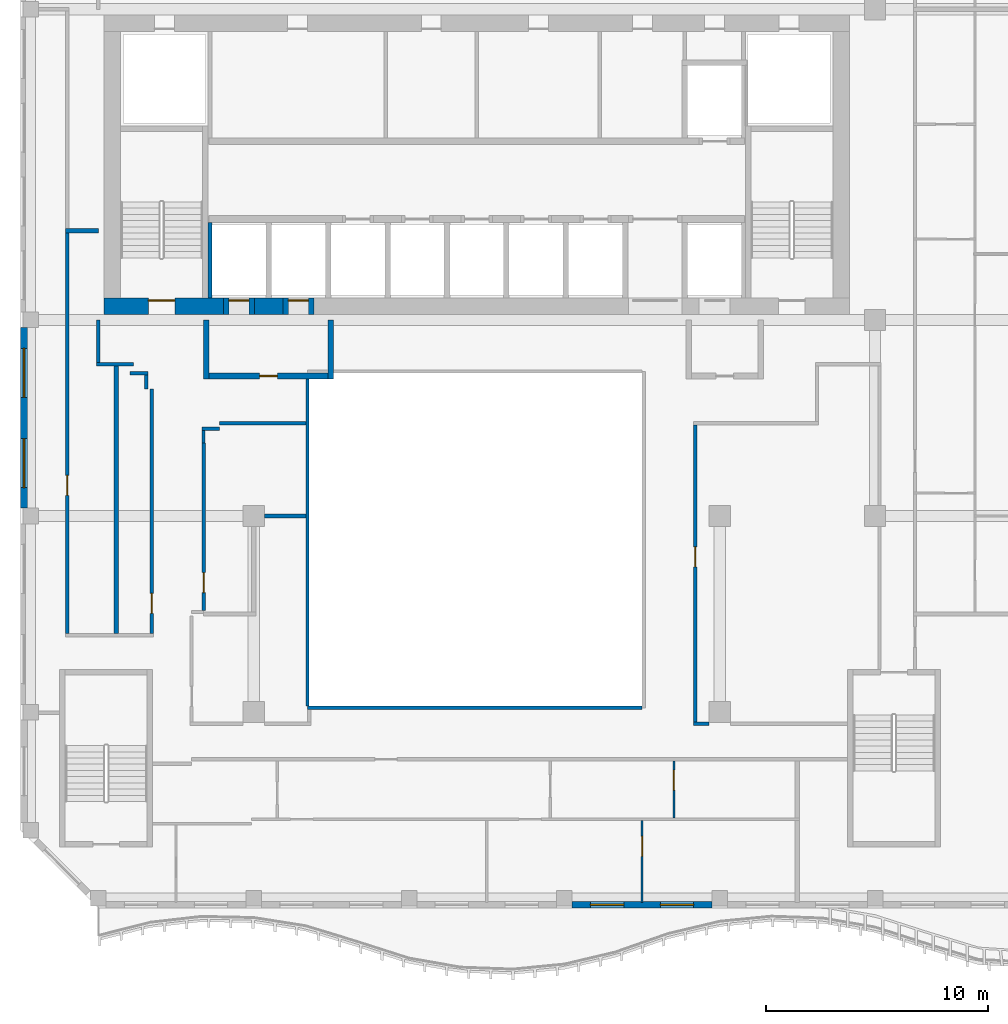
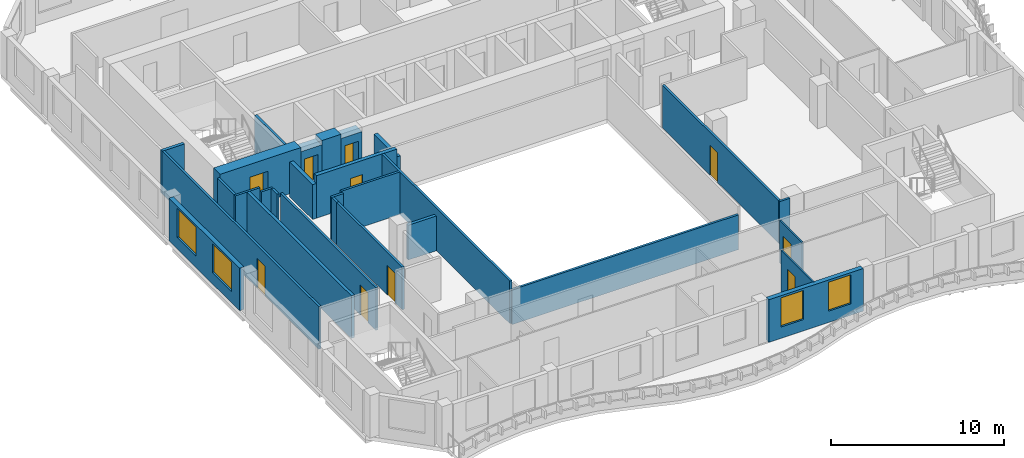
# One storey, part 3 of 13: 29 walls, 10 doors, 4 windows, 14 openings.
"""IFC4 building model written with IfcOpenShell, lengths in metres."""

from ifc_helpers import new_model, si_unit, direction, frame, frame_2d, origin, place, context, subcontext, project, spatial, rectangle, extrude, source, transform, mapped, material, layer, layer_set, type_object, element, fill, save


model = new_model("IFC4")

# Units and contexts
model_context = context("Model", 3, precision=1e-05, world=origin(), true_north=direction((0.0, 1.0)))
body_context = subcontext(model_context, "Body", "Model", "MODEL_VIEW")
ifc_project = project(units=[si_unit("LENGTHUNIT", "METRE"), si_unit("AREAUNIT", "SQUARE_METRE"), si_unit("VOLUMEUNIT", "CUBIC_METRE"), si_unit("PLANEANGLEUNIT", "RADIAN"), si_unit("MASSUNIT", "GRAM", prefix="KILO")], contexts=[model_context])

# Site, building, storey
site_placement = place(None, origin())
site = spatial("IfcSite", under=ifc_project, at=site_placement, CompositionType="ELEMENT")
building_placement = place(site_placement, origin())
building = spatial("IfcBuilding", under=site, at=building_placement, Name="Kilnfold Tower and Market Hall", CompositionType="ELEMENT")
storey_placement = place(building_placement, frame((0.0, 0.0, 259.39990234375)))
storey = spatial("IfcBuildingStorey", under=building, at=storey_placement, Name="L63", CompositionType="ELEMENT", Elevation=259.39990234375)

# Walls
ifc_material_1 = material(Name="Fire-resisting glazed screen")
ifc_layer_1 = layer(ifc_material_1, 0.14990234375)
ifc_layer_set_1 = layer_set([ifc_layer_1], Name="Fire-resisting glazed screen")
wall_type_1 = type_object("IfcWallType", Name="WALL ATRIUM 150", PredefinedType="PARTITIONING", material=ifc_layer_set_1)
wall_1_placement = place(storey_placement, frame((8.5, -9.47509765625, 0.0), z_axis=(0.0, 0.0, 1.0), x_axis=(-1.0, 0.0, 0.0)))
element("IfcWall", 1, at=wall_1_placement, inside=storey, type_object=wall_type_1, Name="Partition LY39.80", PredefinedType="PARTITIONING", context=body_context, shape_type="SweptSolid", body=[
    extrude(rectangle(XDim=15.074951171875, YDim=0.14990234375, at=frame_2d((7.53759765625, 0.0))), origin(), (0.0, 0.0, 1.0), 2.4501953125),
])
wall_2_placement = place(storey_placement, frame((-6.574951171875, -9.39990234375, 0.0), z_axis=(0.0, 0.0, 1.0), x_axis=(0.0, 1.0, 0.0)))
element("IfcWall", 2, at=wall_2_placement, inside=storey, type_object=wall_type_1, Name="Partition LY39.81", PredefinedType="PARTITIONING", context=body_context, shape_type="SweptSolid", body=[
    extrude(rectangle(XDim=15.0, YDim=0.14990234375, at=frame_2d((7.5, 0.0))), origin(), (0.0, 0.0, 1.0), 3.0),
])

# Wall, opening, door
ifc_material_2 = material(Name="Gypsum board on steel studs", Category="steel")
ifc_layer_2 = layer(ifc_material_2, 0.14990234375)
ifc_layer_set_2 = layer_set([ifc_layer_2], Name="Gypsum board on steel studs")
wall_type_2 = type_object("IfcWallType", Name="WALL CORRIDOR 150", PredefinedType="PARTITIONING", material=ifc_layer_set_2)
wall_3_placement = place(storey_placement, frame((-17.39990234375, -6.125, 0.0), z_axis=(0.0, 0.0, 1.0), x_axis=(0.0, 1.0, 0.0)))
wall_3 = element("IfcWall", 3, at=wall_3_placement, inside=storey, type_object=wall_type_2, Name="Partition LY39.1", PredefinedType="PARTITIONING", context=body_context, shape_type="SweptSolid", body=[
    extrude(rectangle(XDim=18.06103515625, YDim=0.14990234375, at=frame_2d((9.030517578125, 0.0))), origin(), (0.0, 0.0, 1.0), 3.0),
])
opening_1_placement = place(wall_3_placement, frame((6.221923828125, 0.0, 0.0)))
opening_1 = element("IfcOpeningElement", 4, at=opening_1_placement, cuts=wall_3, Name="Opening D2", PredefinedType="OPENING", context=body_context, shape_type="SweptSolid", body=[
    extrude(rectangle(XDim=0.89990234375, YDim=2.10009765625, at=frame_2d((0.449951171875, 1.050048828125))), frame((0.0, 0.0849609375, 0.0), z_axis=(0.0, -1.0, 0.0), x_axis=(1.0, 0.0, 0.0)), (0.0, 0.0, 1.0), 0.169921875),
])
ifc_material_3 = material(Name="Timber veneer door leaf in steel frame", Category="steel")
door_type_1 = type_object("IfcDoorType", Name="DOOR ROOM 900 X2100", OperationType="NOTDEFINED", PredefinedType="DOOR", material=ifc_material_3)
door_1_placement = place(opening_1_placement, origin())
door_1 = element("IfcDoor", 5, at=door_1_placement, inside=storey, type_object=door_type_1, Name="Door D2", OperationType="SINGLE_SWING_LEFT", OverallHeight=2.10009765625, OverallWidth=0.89990234375, PredefinedType="DOOR", context=body_context, shape_type="SweptSolid", body=[
    extrude(rectangle(XDim=0.89990234375, YDim=2.10009765625, at=frame_2d((0.449951171875, 1.050048828125))), frame((0.0, 0.02490234375, 0.0), z_axis=(0.0, -1.0, 0.0), x_axis=(1.0, 0.0, 0.0)), (0.0, 0.0, 1.0), 0.050048828125),
])
fill(opening_1, door_1)

# Walls
wall_4_placement = place(storey_placement, frame((-16.074951171875, 6.0, 0.0), z_axis=(0.0, 0.0, 1.0), x_axis=(1.0, 0.0, 0.0)))
element("IfcWall", 6, at=wall_4_placement, inside=storey, type_object=wall_type_2, Name="Partition LY39.3", PredefinedType="PARTITIONING", context=body_context, shape_type="SweptSolid", body=[
    extrude(rectangle(XDim=1.64990234375, YDim=0.14990234375, at=frame_2d((0.824951171875, 0.0))), origin(), (0.0, 0.0, 1.0), 3.0),
])
wall_5_placement = place(storey_placement, frame((-16.0, 6.074951171875, 0.0), z_axis=(0.0, 0.0, 1.0), x_axis=(0.0, 1.0, 0.0)))
element("IfcWall", 7, at=wall_5_placement, inside=storey, type_object=wall_type_2, Name="Partition LY39.4", PredefinedType="PARTITIONING", context=body_context, shape_type="SweptSolid", body=[
    extrude(rectangle(XDim=1.925048828125, YDim=0.14990234375, at=frame_2d((0.96240234375, 0.0))), origin(), (0.0, 0.0, 1.0), 3.0),
])

# Wall, opening, door
wall_6_placement = place(storey_placement, frame((-13.60009765625, 4.87890625, 0.0), z_axis=(0.0, 0.0, 1.0), x_axis=(0.0, -1.0, 0.0)))
wall_6 = element("IfcWall", 8, at=wall_6_placement, inside=storey, type_object=wall_type_2, Name="Partition LY39.20", PredefinedType="PARTITIONING", context=body_context, shape_type="SweptSolid", body=[
    extrude(rectangle(XDim=11.00390625, YDim=0.14990234375, at=frame_2d((5.501953125, 0.0))), origin(), (0.0, 0.0, 1.0), 3.0),
])
opening_2_placement = place(wall_6_placement, frame((9.2041015625, 0.0, 0.0)))
opening_2 = element("IfcOpeningElement", 9, at=opening_2_placement, cuts=wall_6, Name="Opening D2", PredefinedType="OPENING", context=body_context, shape_type="SweptSolid", body=[
    extrude(rectangle(XDim=0.89990234375, YDim=2.10009765625, at=frame_2d((0.449951171875, 1.050048828125))), frame((0.0, 0.0849609375, 0.0), z_axis=(0.0, -1.0, 0.0), x_axis=(1.0, 0.0, 0.0)), (0.0, 0.0, 1.0), 0.169921875),
])
door_2_placement = place(opening_2_placement, origin())
door_2 = element("IfcDoor", 10, at=door_2_placement, inside=storey, type_object=door_type_1, Name="Door D2", OperationType="SINGLE_SWING_LEFT", OverallHeight=2.10009765625, OverallWidth=0.89990234375, PredefinedType="DOOR", context=body_context, shape_type="SweptSolid", body=[
    extrude(rectangle(XDim=0.89990234375, YDim=2.10009765625, at=frame_2d((0.449951171875, 1.050048828125))), frame((0.0, 0.02490234375, 0.0), z_axis=(0.0, -1.0, 0.0), x_axis=(1.0, 0.0, 0.0)), (0.0, 0.0, 1.0), 0.050048828125),
])
fill(opening_2, door_2)

# Walls
wall_7_placement = place(storey_placement, frame((-13.843017578125, 5.52490234375, 0.0), z_axis=(0.0, 0.0, 1.0), x_axis=(0.0, -1.0, 0.0)))
element("IfcWall", 11, at=wall_7_placement, inside=storey, type_object=wall_type_2, Name="Partition LY39.21", PredefinedType="PARTITIONING", context=body_context, shape_type="SweptSolid", body=[
    extrude(rectangle(XDim=0.64599609375, YDim=0.14990234375, at=frame_2d((0.322998046875, 0.0))), origin(), (0.0, 0.0, 1.0), 3.0),
])
wall_8_placement = place(storey_placement, frame((-14.574951171875, 5.60009765625, 0.0), z_axis=(0.0, 0.0, 1.0), x_axis=(1.0, 0.0, 0.0)))
element("IfcWall", 12, at=wall_8_placement, inside=storey, type_object=wall_type_2, Name="Partition LY39.22", PredefinedType="PARTITIONING", context=body_context, shape_type="SweptSolid", body=[
    extrude(rectangle(XDim=0.806884765625, YDim=0.14990234375, at=frame_2d((0.4033203125, 0.0))), origin(), (0.0, 0.0, 1.0), 3.0),
])

# Wall, opening, door
wall_9_placement = place(storey_placement, frame((-11.258056640625, -5.0869140625, 0.0), z_axis=(0.0, 0.0, 1.0), x_axis=(0.0, 1.0, 0.0)))
wall_9 = element("IfcWall", 13, at=wall_9_placement, inside=storey, type_object=wall_type_2, Name="Partition LY39.23", PredefinedType="PARTITIONING", context=body_context, shape_type="SweptSolid", body=[
    extrude(rectangle(XDim=7.538818359375, YDim=0.14990234375, at=frame_2d((3.76953125, 0.0))), origin(), (0.0, 0.0, 1.0), 3.0),
])
opening_3_placement = place(wall_9_placement, frame((0.803955078125, 0.0, 0.0)))
opening_3 = element("IfcOpeningElement", 14, at=opening_3_placement, cuts=wall_9, Name="Opening D2", PredefinedType="OPENING", context=body_context, shape_type="SweptSolid", body=[
    extrude(rectangle(XDim=0.89990234375, YDim=2.10009765625, at=frame_2d((0.449951171875, 1.050048828125))), frame((0.0, 0.0849609375, 0.0), z_axis=(0.0, -1.0, 0.0), x_axis=(1.0, 0.0, 0.0)), (0.0, 0.0, 1.0), 0.169921875),
])
door_3_placement = place(opening_3_placement, origin())
door_3 = element("IfcDoor", 15, at=door_3_placement, inside=storey, type_object=door_type_1, Name="Door D2", OperationType="SINGLE_SWING_LEFT", OverallHeight=2.10009765625, OverallWidth=0.89990234375, PredefinedType="DOOR", context=body_context, shape_type="SweptSolid", body=[
    extrude(rectangle(XDim=0.89990234375, YDim=2.10009765625, at=frame_2d((0.449951171875, 1.050048828125))), frame((0.0, 0.02490234375, 0.0), z_axis=(0.0, -1.0, 0.0), x_axis=(1.0, 0.0, 0.0)), (0.0, 0.0, 1.0), 0.050048828125),
])
fill(opening_3, door_3)

# Walls
wall_10_placement = place(storey_placement, frame((-10.5458984375, 3.35009765625, 0.0), z_axis=(0.0, 0.0, 1.0), x_axis=(1.0, 0.0, 0.0)))
element("IfcWall", 16, at=wall_10_placement, inside=storey, type_object=wall_type_2, Name="Partition LY39.25", PredefinedType="PARTITIONING", context=body_context, shape_type="SweptSolid", body=[
    extrude(rectangle(XDim=3.89599609375, YDim=0.14990234375, at=frame_2d((1.947998046875, 0.0))), origin(), (0.0, 0.0, 1.0), 3.0),
])
wall_11_placement = place(storey_placement, frame((-11.3349609375, 3.091064453125, 0.0), z_axis=(0.0, 0.0, 1.0), x_axis=(1.0, 0.0, 0.0)))
element("IfcWall", 17, at=wall_11_placement, inside=storey, type_object=wall_type_2, Name="Partition LY39.26", PredefinedType="PARTITIONING", context=body_context, shape_type="SweptSolid", body=[
    extrude(rectangle(XDim=0.7890625, YDim=0.14990234375, at=frame_2d((0.39453125, 0.0))), origin(), (0.0, 0.0, 1.0), 3.0),
])
wall_12_placement = place(storey_placement, frame((-11.260009765625, 2.451904296875, 0.0), z_axis=(0.0, 0.0, 1.0), x_axis=(0.0, 1.0, 0.0)))
element("IfcWall", 18, at=wall_12_placement, inside=storey, type_object=wall_type_2, Name="Partition LY39.27", PredefinedType="PARTITIONING", context=body_context, shape_type="SweptSolid", body=[
    extrude(rectangle(XDim=0.564208984375, YDim=0.14990234375, at=frame_2d((0.2822265625, 0.0))), origin(), (0.0, 0.0, 1.0), 3.0),
])

# Wall, opening, door
wall_13_placement = place(storey_placement, frame((10.89990234375, -10.125, 0.0), z_axis=(0.0, 0.0, 1.0), x_axis=(0.0, 1.0, 0.0)))
wall_13 = element("IfcWall", 19, at=wall_13_placement, inside=storey, type_object=wall_type_2, Name="Partition LY39.37", PredefinedType="PARTITIONING", context=body_context, shape_type="SweptSolid", body=[
    extrude(rectangle(XDim=13.39990234375, YDim=0.14990234375, at=frame_2d((6.699951171875, 0.0))), origin(), (0.0, 0.0, 1.0), 3.0),
])
opening_4_placement = place(wall_13_placement, frame((7.0, 0.0, 0.0)))
opening_4 = element("IfcOpeningElement", 20, at=opening_4_placement, cuts=wall_13, Name="Opening D2", PredefinedType="OPENING", context=body_context, shape_type="SweptSolid", body=[
    extrude(rectangle(XDim=0.89990234375, YDim=2.10009765625, at=frame_2d((0.449951171875, 1.050048828125))), frame((0.0, 0.0849609375, 0.0), z_axis=(0.0, -1.0, 0.0), x_axis=(1.0, 0.0, 0.0)), (0.0, 0.0, 1.0), 0.169921875),
])
door_4_placement = place(opening_4_placement, origin())
door_4 = element("IfcDoor", 21, at=door_4_placement, inside=storey, type_object=door_type_1, Name="Door D2", OperationType="SINGLE_SWING_LEFT", OverallHeight=2.10009765625, OverallWidth=0.89990234375, PredefinedType="DOOR", context=body_context, shape_type="SweptSolid", body=[
    extrude(rectangle(XDim=0.89990234375, YDim=2.10009765625, at=frame_2d((0.449951171875, 1.050048828125))), frame((0.0, 0.02490234375, 0.0), z_axis=(0.0, -1.0, 0.0), x_axis=(1.0, 0.0, 0.0)), (0.0, 0.0, 1.0), 0.050048828125),
])
fill(opening_4, door_4)

# Wall
wall_14_placement = place(storey_placement, frame((10.824951171875, -10.199951171875, 0.0), z_axis=(0.0, 0.0, 1.0), x_axis=(1.0, 0.0, 0.0)))
element("IfcWall", 22, at=wall_14_placement, inside=storey, type_object=wall_type_2, Name="Partition LY39.39", PredefinedType="PARTITIONING", context=body_context, shape_type="SweptSolid", body=[
    extrude(rectangle(XDim=0.699951171875, YDim=0.14990234375, at=frame_2d((0.35009765625, 0.0))), origin(), (0.0, 0.0, 1.0), 3.0),
])

# Wall, opening, door
ifc_material_4 = material(Name="Gypsum board on steel studs", Category="steel")
ifc_layer_3 = layer(ifc_material_4, 0.10009765625)
ifc_layer_set_3 = layer_set([ifc_layer_3], Name="Gypsum board on steel studs")
wall_type_3 = type_object("IfcWallType", Name="WALL PARTITION 100", PredefinedType="PARTITIONING", material=ifc_layer_set_3)
wall_15_placement = place(storey_placement, frame((9.93310546875, -14.449951171875, 0.0), z_axis=(0.0, 0.0, 1.0), x_axis=(0.0, 1.0, 0.0)))
wall_15 = element("IfcWall", 23, at=wall_15_placement, inside=storey, type_object=wall_type_3, Name="Partition LY39.48", PredefinedType="PARTITIONING", context=body_context, shape_type="SweptSolid", body=[
    extrude(rectangle(XDim=2.572998046875, YDim=0.10009765625, at=frame_2d((1.28662109375, 0.0))), origin(), (0.0, 0.0, 1.0), 3.0),
])
opening_5_placement = place(wall_15_placement, frame((1.260986328125, 0.0, 0.0)))
opening_5 = element("IfcOpeningElement", 24, at=opening_5_placement, cuts=wall_15, Name="Opening D2", PredefinedType="OPENING", context=body_context, shape_type="SweptSolid", body=[
    extrude(rectangle(XDim=0.89990234375, YDim=2.10009765625, at=frame_2d((0.449951171875, 1.050048828125))), frame((0.0, 0.06005859375, 0.0), z_axis=(0.0, -1.0, 0.0), x_axis=(1.0, 0.0, 0.0)), (0.0, 0.0, 1.0), 0.1201171875),
])
door_5_placement = place(opening_5_placement, origin())
door_5 = element("IfcDoor", 25, at=door_5_placement, inside=storey, type_object=door_type_1, Name="Door D2", OperationType="SINGLE_SWING_LEFT", OverallHeight=2.10009765625, OverallWidth=0.89990234375, PredefinedType="DOOR", context=body_context, shape_type="SweptSolid", body=[
    extrude(rectangle(XDim=0.89990234375, YDim=2.10009765625, at=frame_2d((0.449951171875, 1.050048828125))), frame((0.0, 0.02490234375, 0.0), z_axis=(0.0, -1.0, 0.0), x_axis=(1.0, 0.0, 0.0)), (0.0, 0.0, 1.0), 0.050048828125),
])
fill(opening_5, door_5)

wall_16_placement = place(storey_placement, frame((8.5, -18.25, 0.0), z_axis=(0.0, 0.0, 1.0), x_axis=(0.0, 1.0, 0.0)))
wall_16 = element("IfcWall", 26, at=wall_16_placement, inside=storey, type_object=wall_type_3, Name="Partition LY39.52", PredefinedType="PARTITIONING", context=body_context, shape_type="SweptSolid", body=[
    extrude(rectangle(XDim=3.697998046875, YDim=0.10009765625, at=frame_2d((1.84912109375, 0.0))), origin(), (0.0, 0.0, 1.0), 3.0),
])
opening_6_placement = place(wall_16_placement, frame((2.076904296875, 0.0, 0.0)))
opening_6 = element("IfcOpeningElement", 27, at=opening_6_placement, cuts=wall_16, Name="Opening D2", PredefinedType="OPENING", context=body_context, shape_type="SweptSolid", body=[
    extrude(rectangle(XDim=0.89990234375, YDim=2.10009765625, at=frame_2d((0.449951171875, 1.050048828125))), frame((0.0, 0.06005859375, 0.0), z_axis=(0.0, -1.0, 0.0), x_axis=(1.0, 0.0, 0.0)), (0.0, 0.0, 1.0), 0.1201171875),
])
door_6_placement = place(opening_6_placement, origin())
door_6 = element("IfcDoor", 28, at=door_6_placement, inside=storey, type_object=door_type_1, Name="Door D2", OperationType="SINGLE_SWING_LEFT", OverallHeight=2.10009765625, OverallWidth=0.89990234375, PredefinedType="DOOR", context=body_context, shape_type="SweptSolid", body=[
    extrude(rectangle(XDim=0.89990234375, YDim=2.10009765625, at=frame_2d((0.449951171875, 1.050048828125))), frame((0.0, 0.02490234375, 0.0), z_axis=(0.0, -1.0, 0.0), x_axis=(1.0, 0.0, 0.0)), (0.0, 0.0, 1.0), 0.050048828125),
])
fill(opening_6, door_6)

# Walls
ifc_material_5 = material(Name="Gypsum board on steel studs", Category="steel")
ifc_layer_4 = layer(ifc_material_5, 0.199951171875)
ifc_layer_set_4 = layer_set([ifc_layer_4], Name="Gypsum board on steel studs")
wall_type_4 = type_object("IfcWallType", Name="WALL PARTY 200", PredefinedType="PARTITIONING", material=ifc_layer_set_4)
wall_17_placement = place(storey_placement, frame((-16.0, 12.02587890625, 0.0), z_axis=(0.0, 0.0, 1.0), x_axis=(-1.0, 0.0, 0.0)))
element("IfcWall", 29, at=wall_17_placement, inside=storey, type_object=wall_type_4, Name="Partition LY39.40", PredefinedType="PARTITIONING", context=body_context, shape_type="SweptSolid", body=[
    extrude(rectangle(XDim=1.472900390625, YDim=0.199951171875, at=frame_2d((0.736328125, 0.0))), origin(), (0.0, 0.0, 1.0), 3.0),
])
wall_18_placement = place(storey_placement, frame((-15.199951171875, -6.123046875, 0.0), z_axis=(0.0, 0.0, 1.0), x_axis=(0.0, 1.0, 0.0)))
element("IfcWall", 30, at=wall_18_placement, inside=storey, type_object=wall_type_4, Name="Partition LY39.41", PredefinedType="PARTITIONING", context=body_context, shape_type="SweptSolid", body=[
    extrude(rectangle(XDim=12.046142578125, YDim=0.199951171875, at=frame_2d((6.02294921875, 0.0))), origin(), (0.0, 0.0, 1.0), 3.0),
])
wall_19_placement = place(storey_placement, frame((-8.52490234375, -0.8330078125, 0.0), z_axis=(0.0, 0.0, 1.0), x_axis=(1.0, 0.0, 0.0)))
element("IfcWall", 31, at=wall_19_placement, inside=storey, type_object=wall_type_4, Name="Partition LY39.77", PredefinedType="PARTITIONING", context=body_context, shape_type="SweptSolid", body=[
    extrude(rectangle(XDim=1.875, YDim=0.199951171875, at=frame_2d((0.9375, 0.0))), origin(), (0.0, 0.0, 1.0), 2.4501953125),
])

# Wall, opening, door
ifc_material_6 = material(Name="Concrete C60", Category="concrete")
ifc_layer_5 = layer(ifc_material_6, 0.75)
ifc_layer_set_5 = layer_set([ifc_layer_5], Name="Concrete C60")
wall_type_5 = type_object("IfcWallType", Name="CORE WALL 750 C60", PredefinedType="SHEAR", material=ifc_layer_set_5)
shared_shape_1 = source(origin(), body_context, "Body", "SweptSolid", [
    extrude(rectangle(XDim=5.3798828125, YDim=0.75, at=frame_2d((2.68994140625, 0.0))), origin(), (0.0, 0.0, 1.0), 3.0),
])
wall_20_placement = place(storey_placement, frame((-15.75, 8.625, 0.0), z_axis=(0.0, 0.0, 1.0), x_axis=(1.0, 0.0, 0.0)))
wall_20 = element("IfcWall", 32, at=wall_20_placement, inside=storey, type_object=wall_type_5, Name="Core outer wall south", PredefinedType="SHEAR", context=body_context, shape_type="MappedRepresentation", body=[
    mapped(shared_shape_1, transform((0.0, 0.0, 0.0))),
])
opening_7_placement = place(wall_20_placement, frame((2.0, 0.0, 0.0)))
opening_7 = element("IfcOpeningElement", 33, at=opening_7_placement, cuts=wall_20, Name="Opening SD1", PredefinedType="OPENING", context=body_context, shape_type="SweptSolid", body=[
    extrude(rectangle(XDim=1.199951171875, YDim=2.10009765625, at=frame_2d((0.60009765625, 1.050048828125))), frame((0.0, 0.385009765625, 0.0), z_axis=(0.0, -1.0, 0.0), x_axis=(1.0, 0.0, 0.0)), (0.0, 0.0, 1.0), 0.77001953125),
])
ifc_material_7 = material(Name="Steel door set with fire-resisting leaf", Category="steel")
door_type_2 = type_object("IfcDoorType", Name="STAIR FLOOR DOOR 1200X2100", OperationType="NOTDEFINED", PredefinedType="DOOR", material=ifc_material_7)
door_7_placement = place(opening_7_placement, origin())
door_7 = element("IfcDoor", 34, at=door_7_placement, inside=storey, type_object=door_type_2, Name="Exit stair ST1 door", OperationType="DOUBLE_DOOR_SINGLE_SWING", OverallHeight=2.10009765625, OverallWidth=1.199951171875, PredefinedType="DOOR", context=body_context, shape_type="SweptSolid", body=[
    extrude(rectangle(XDim=1.199951171875, YDim=2.10009765625, at=frame_2d((0.60009765625, 1.050048828125))), frame((0.0, 0.27978515625, 0.0), z_axis=(0.0, -1.0, 0.0), x_axis=(1.0, 0.0, 0.0)), (0.0, 0.0, 1.0), 0.050048828125),
])
fill(opening_7, door_7)

# Wall
shared_shape_2 = source(origin(), body_context, "Body", "SweptSolid", [
    extrude(rectangle(XDim=1.280029296875, YDim=0.75, at=frame_2d((0.64013671875, 0.0))), origin(), (0.0, 0.0, 1.0), 3.0),
])
wall_21_placement = place(storey_placement, frame((-8.969970703125, 8.625, 0.0), z_axis=(0.0, 0.0, 1.0), x_axis=(1.0, 0.0, 0.0)))
element("IfcWall", 35, at=wall_21_placement, inside=storey, type_object=wall_type_5, Name="Core outer wall south", PredefinedType="SHEAR", context=body_context, shape_type="MappedRepresentation", body=[
    mapped(shared_shape_2, transform((0.0, 0.0, 0.0))),
])

# Wall, openings, windows
ifc_material_8 = material(Name="Precast concrete C50/60", Category="concrete")
ifc_layer_6 = layer(ifc_material_8, 0.300048828125)
ifc_layer_set_6 = layer_set([ifc_layer_6], Name="Precast concrete C50/60")
wall_type_6 = type_object("IfcWallType", Name="PRECAST WALL 300", PredefinedType="SOLIDWALL", material=ifc_layer_set_6)
shared_shape_3 = source(origin(), body_context, "Body", "SweptSolid", [
    extrude(rectangle(XDim=6.2998046875, YDim=0.300048828125, at=frame_2d((3.14990234375, 0.0))), origin(), (0.0, 0.0, 1.0), 3.0),
])
wall_22_placement = place(storey_placement, frame((5.35009765625, -18.35009765625, 0.0), z_axis=(0.0, 0.0, 1.0), x_axis=(1.0, 0.0, 0.0)))
wall_22 = element("IfcWall", 36, at=wall_22_placement, inside=storey, type_object=wall_type_6, Name="External wall L63 S", PredefinedType="SOLIDWALL", context=body_context, shape_type="MappedRepresentation", body=[
    mapped(shared_shape_3, transform((0.0, 0.0, 0.0))),
])
opening_8_placement = place(wall_22_placement, frame((0.824951171875, 0.0, 0.800048828125)))
opening_8 = element("IfcOpeningElement", 37, at=opening_8_placement, cuts=wall_22, Name="Opening W5", PredefinedType="OPENING", context=body_context, shape_type="SweptSolid", body=[
    extrude(rectangle(XDim=1.5, YDim=2.050048828125, at=frame_2d((0.75, 1.02490234375))), frame((0.0, 0.16015625, 0.0), z_axis=(0.0, -1.0, 0.0), x_axis=(1.0, 0.0, 0.0)), (0.0, 0.0, 1.0), 0.320068359375),
])
opening_9_placement = place(wall_22_placement, frame((3.97509765625, 0.0, 0.800048828125)))
opening_9 = element("IfcOpeningElement", 38, at=opening_9_placement, cuts=wall_22, Name="Opening W5", PredefinedType="OPENING", context=body_context, shape_type="SweptSolid", body=[
    extrude(rectangle(XDim=1.5, YDim=2.050048828125, at=frame_2d((0.75, 1.02490234375))), frame((0.0, 0.16015625, 0.0), z_axis=(0.0, -1.0, 0.0), x_axis=(1.0, 0.0, 0.0)), (0.0, 0.0, 1.0), 0.320068359375),
])
ifc_material_9 = material(Name="Aluminium frame and double glazing", Category="aluminium")
window_type_1 = type_object("IfcWindowType", Name="WINDOW W5 1500X2050", PartitioningType="SINGLE_PANEL", PredefinedType="WINDOW", material=ifc_material_9)
window_1_placement = place(opening_8_placement, origin())
window_1 = element("IfcWindow", 39, at=window_1_placement, inside=storey, type_object=window_type_1, Name="Window W5 L63 S-1", OverallHeight=2.050048828125, OverallWidth=1.5, PartitioningType="SINGLE_PANEL", PredefinedType="WINDOW", context=body_context, shape_type="SweptSolid", body=[
    extrude(rectangle(XDim=1.5, YDim=2.050048828125, at=frame_2d((0.75, 1.02490234375))), frame((0.0, 0.030029296875, 0.0), z_axis=(0.0, -1.0, 0.0), x_axis=(1.0, 0.0, 0.0)), (0.0, 0.0, 1.0), 0.06005859375),
])
fill(opening_8, window_1)
window_2_placement = place(opening_9_placement, origin())
window_2 = element("IfcWindow", 40, at=window_2_placement, inside=storey, type_object=window_type_1, Name="Window W5 L63 S-2", OverallHeight=2.050048828125, OverallWidth=1.5, PartitioningType="SINGLE_PANEL", PredefinedType="WINDOW", context=body_context, shape_type="SweptSolid", body=[
    extrude(rectangle(XDim=1.5, YDim=2.050048828125, at=frame_2d((0.75, 1.02490234375))), frame((0.0, 0.030029296875, 0.0), z_axis=(0.0, -1.0, 0.0), x_axis=(1.0, 0.0, 0.0)), (0.0, 0.0, 1.0), 0.06005859375),
])
fill(opening_9, window_2)

shared_shape_4 = source(origin(), body_context, "Body", "SweptSolid", [
    extrude(rectangle(XDim=8.13330078125, YDim=0.300048828125, at=frame_2d((4.066650390625, 0.0))), origin(), (0.0, 0.0, 1.0), 3.0),
])
wall_23_placement = place(storey_placement, frame((-19.35009765625, 7.64990234375, 0.0), z_axis=(0.0, 0.0, 1.0), x_axis=(0.0, -1.0, 0.0)))
wall_23 = element("IfcWall", 41, at=wall_23_placement, inside=storey, type_object=wall_type_6, Name="External wall L63 W", PredefinedType="SOLIDWALL", context=body_context, shape_type="MappedRepresentation", body=[
    mapped(shared_shape_4, transform((0.0, 0.0, 0.0))),
])
opening_10_placement = place(wall_23_placement, frame((0.933349609375, 0.0, 0.800048828125)))
opening_10 = element("IfcOpeningElement", 42, at=opening_10_placement, cuts=wall_23, Name="Opening W3", PredefinedType="OPENING", context=body_context, shape_type="SweptSolid", body=[
    extrude(rectangle(XDim=2.199951171875, YDim=2.050048828125, at=frame_2d((1.10009765625, 1.02490234375))), frame((0.0, 0.16015625, 0.0), z_axis=(0.0, -1.0, 0.0), x_axis=(1.0, 0.0, 0.0)), (0.0, 0.0, 1.0), 0.320068359375),
])
opening_11_placement = place(wall_23_placement, frame((5.0, 0.0, 0.800048828125)))
opening_11 = element("IfcOpeningElement", 43, at=opening_11_placement, cuts=wall_23, Name="Opening W3", PredefinedType="OPENING", context=body_context, shape_type="SweptSolid", body=[
    extrude(rectangle(XDim=2.199951171875, YDim=2.050048828125, at=frame_2d((1.10009765625, 1.02490234375))), frame((0.0, 0.16015625, 0.0), z_axis=(0.0, -1.0, 0.0), x_axis=(1.0, 0.0, 0.0)), (0.0, 0.0, 1.0), 0.320068359375),
])
ifc_material_10 = material(Name="Aluminium frame and double glazing", Category="aluminium")
window_type_2 = type_object("IfcWindowType", Name="WINDOW W3 2200X2050", PartitioningType="SINGLE_PANEL", PredefinedType="WINDOW", material=ifc_material_10)
window_3_placement = place(opening_10_placement, origin())
window_3 = element("IfcWindow", 44, at=window_3_placement, inside=storey, type_object=window_type_2, Name="Window W3 L63 W-1", OverallHeight=2.050048828125, OverallWidth=2.199951171875, PartitioningType="SINGLE_PANEL", PredefinedType="WINDOW", context=body_context, shape_type="SweptSolid", body=[
    extrude(rectangle(XDim=2.199951171875, YDim=2.050048828125, at=frame_2d((1.10009765625, 1.02490234375))), frame((0.0, 0.030029296875, 0.0), z_axis=(0.0, -1.0, 0.0), x_axis=(1.0, 0.0, 0.0)), (0.0, 0.0, 1.0), 0.06005859375),
])
fill(opening_10, window_3)
window_4_placement = place(opening_11_placement, origin())
window_4 = element("IfcWindow", 45, at=window_4_placement, inside=storey, type_object=window_type_2, Name="Window W3 L63 W-2", OverallHeight=2.050048828125, OverallWidth=2.199951171875, PartitioningType="SINGLE_PANEL", PredefinedType="WINDOW", context=body_context, shape_type="SweptSolid", body=[
    extrude(rectangle(XDim=2.199951171875, YDim=2.050048828125, at=frame_2d((1.10009765625, 1.02490234375))), frame((0.0, 0.030029296875, 0.0), z_axis=(0.0, -1.0, 0.0), x_axis=(1.0, 0.0, 0.0)), (0.0, 0.0, 1.0), 0.06005859375),
])
fill(opening_11, window_4)

# Wall, opening, door
ifc_material_11 = material(Name="Gypsum shaft wall system")
ifc_layer_7 = layer(ifc_material_11, 0.25)
ifc_layer_set_7 = layer_set([ifc_layer_7], Name="Gypsum shaft wall system")
wall_type_7 = type_object("IfcWallType", Name="LOBBY WALL 250", PredefinedType="PARTITIONING", material=ifc_layer_set_7)
shared_shape_5 = source(origin(), body_context, "Body", "SweptSolid", [
    extrude(rectangle(XDim=5.360107421875, YDim=0.25, at=frame_2d((2.68017578125, 0.0))), origin(), (0.0, 0.0, 1.0), 3.0),
])
wall_24_placement = place(storey_placement, frame((-11.010009765625, 5.47509765625, 0.0), z_axis=(0.0, 0.0, 1.0), x_axis=(1.0, 0.0, 0.0)))
wall_24 = element("IfcWall", 46, at=wall_24_placement, inside=storey, type_object=wall_type_7, Name="Firefighting lobby wall", PredefinedType="PARTITIONING", context=body_context, shape_type="MappedRepresentation", body=[
    mapped(shared_shape_5, transform((0.0, 0.0, 0.0))),
])
opening_12_placement = place(wall_24_placement, frame((2.280029296875, 0.0, 0.0)))
opening_12 = element("IfcOpeningElement", 47, at=opening_12_placement, cuts=wall_24, Name="Opening VD1", PredefinedType="OPENING", context=body_context, shape_type="SweptSolid", body=[
    extrude(rectangle(XDim=0.800048828125, YDim=2.0, at=frame_2d((0.39990234375, 1.0))), frame((0.0, 0.135009765625, 0.0), z_axis=(0.0, -1.0, 0.0), x_axis=(1.0, 0.0, 0.0)), (0.0, 0.0, 1.0), 0.27001953125),
])
ifc_material_12 = material(Name="Steel door set with fire-resisting leaf", Category="steel")
door_type_3 = type_object("IfcDoorType", Name="FIREFIGHTING LOBBY DOOR 800X2000", OperationType="NOTDEFINED", PredefinedType="DOOR", material=ifc_material_12)
door_8_placement = place(opening_12_placement, origin())
door_8 = element("IfcDoor", 48, at=door_8_placement, inside=storey, type_object=door_type_3, Name="Firefighting lobby door", OperationType="SINGLE_SWING_LEFT", OverallHeight=2.0, OverallWidth=0.800048828125, PredefinedType="DOOR", context=body_context, shape_type="SweptSolid", body=[
    extrude(rectangle(XDim=0.800048828125, YDim=2.0, at=frame_2d((0.39990234375, 1.0))), frame((0.0, 0.02490234375, 0.0), z_axis=(0.0, -1.0, 0.0), x_axis=(1.0, 0.0, 0.0)), (0.0, 0.0, 1.0), 0.050048828125),
])
fill(opening_12, door_8)

# Wall
ifc_material_13 = material(Name="Gypsum shaft wall system")
ifc_layer_8 = layer(ifc_material_13, 0.1650390625)
ifc_layer_set_8 = layer_set([ifc_layer_8], Name="Gypsum shaft wall system")
wall_type_8 = type_object("IfcWallType", Name="SHAFT WALL 165", PredefinedType="PARTITIONING", material=ifc_layer_set_8)
shared_shape_6 = source(origin(), body_context, "Body", "SweptSolid", [
    extrude(rectangle(XDim=3.39990234375, YDim=0.1650390625, at=frame_2d((1.699951171875, 0.0))), origin(), (0.0, 0.0, 1.0), 3.0),
])
wall_25_placement = place(storey_placement, frame((-10.967529296875, 9.0, 0.0), z_axis=(0.0, 0.0, 1.0), x_axis=(0.0, 1.0, 0.0)))
element("IfcWall", 49, at=wall_25_placement, inside=storey, type_object=wall_type_8, Name="Lift shaft wall", PredefinedType="PARTITIONING", context=body_context, shape_type="MappedRepresentation", body=[
    mapped(shared_shape_6, transform((0.0, 0.0, 0.0))),
])

# Wall, opening, door
ifc_material_14 = material(Name="Gypsum shaft wall system")
ifc_layer_9 = layer(ifc_material_14, 0.75)
ifc_layer_set_9 = layer_set([ifc_layer_9], Name="Gypsum shaft wall system")
wall_type_9 = type_object("IfcWallType", Name="LOBBY WALL 750", PredefinedType="PARTITIONING", material=ifc_layer_set_9)
shared_shape_7 = source(origin(), body_context, "Body", "SweptSolid", [
    extrude(rectangle(XDim=1.400146484375, YDim=0.75, at=frame_2d((0.7001953125, 0.0))), origin(), (0.0, 0.0, 1.0), 2.7001953125),
])
wall_26_placement = place(storey_placement, frame((-10.3701171875, 8.625, 0.0), z_axis=(0.0, 0.0, 1.0), x_axis=(1.0, 0.0, 0.0)))
wall_26 = element("IfcWall", 50, at=wall_26_placement, inside=storey, type_object=wall_type_9, Name="Core wall infill", PredefinedType="PARTITIONING", context=body_context, shape_type="MappedRepresentation", body=[
    mapped(shared_shape_7, transform((0.0, 0.0, 0.0))),
])
opening_13_placement = place(wall_26_placement, frame((0.25, 0.0, 0.0)))
opening_13 = element("IfcOpeningElement", 51, at=opening_13_placement, cuts=wall_26, Name="Opening LD1", PredefinedType="OPENING", context=body_context, shape_type="SweptSolid", body=[
    extrude(rectangle(XDim=0.89990234375, YDim=2.10009765625, at=frame_2d((0.449951171875, 1.050048828125))), frame((0.0, 0.385009765625, 0.0), z_axis=(0.0, -1.0, 0.0), x_axis=(1.0, 0.0, 0.0)), (0.0, 0.0, 1.0), 0.77001953125),
])
ifc_material_15 = material(Name="Steel door set with fire-resisting leaf", Category="steel")
door_type_4 = type_object("IfcDoorType", Name="FIREFIGHTING LANDING DOOR 900X2100", OperationType="NOTDEFINED", PredefinedType="DOOR", material=ifc_material_15)
door_9_placement = place(opening_13_placement, origin())
door_9 = element("IfcDoor", 52, at=door_9_placement, inside=storey, type_object=door_type_4, Name="Landing door FF1", OperationType="SLIDING_TO_LEFT", OverallHeight=2.10009765625, OverallWidth=0.89990234375, PredefinedType="DOOR", context=body_context, shape_type="SweptSolid", body=[
    extrude(rectangle(XDim=0.89990234375, YDim=2.10009765625, at=frame_2d((0.449951171875, 1.050048828125))), frame((0.0, 0.27978515625, 0.0), z_axis=(0.0, -1.0, 0.0), x_axis=(1.0, 0.0, 0.0)), (0.0, 0.0, 1.0), 0.050048828125),
])
fill(opening_13, door_9)

shared_shape_8 = source(origin(), body_context, "Body", "SweptSolid", [
    extrude(rectangle(XDim=1.39990234375, YDim=0.75, at=frame_2d((0.699951171875, 0.0))), origin(), (0.0, 0.0, 1.0), 2.7001953125),
])
wall_27_placement = place(storey_placement, frame((-7.68994140625, 8.625, 0.0), z_axis=(0.0, 0.0, 1.0), x_axis=(1.0, 0.0, 0.0)))
wall_27 = element("IfcWall", 53, at=wall_27_placement, inside=storey, type_object=wall_type_9, Name="Core wall infill", PredefinedType="PARTITIONING", context=body_context, shape_type="MappedRepresentation", body=[
    mapped(shared_shape_8, transform((0.0, 0.0, 0.0))),
])
opening_14_placement = place(wall_27_placement, frame((0.25, 0.0, 0.0)))
opening_14 = element("IfcOpeningElement", 54, at=opening_14_placement, cuts=wall_27, Name="Opening LD1", PredefinedType="OPENING", context=body_context, shape_type="SweptSolid", body=[
    extrude(rectangle(XDim=0.89990234375, YDim=2.10009765625, at=frame_2d((0.449951171875, 1.050048828125))), frame((0.0, 0.385009765625, 0.0), z_axis=(0.0, -1.0, 0.0), x_axis=(1.0, 0.0, 0.0)), (0.0, 0.0, 1.0), 0.77001953125),
])
door_10_placement = place(opening_14_placement, origin())
door_10 = element("IfcDoor", 55, at=door_10_placement, inside=storey, type_object=door_type_4, Name="Landing door FF2", OperationType="SLIDING_TO_RIGHT", OverallHeight=2.10009765625, OverallWidth=0.89990234375, PredefinedType="DOOR", context=body_context, shape_type="SweptSolid", body=[
    extrude(rectangle(XDim=0.89990234375, YDim=2.10009765625, at=frame_2d((0.449951171875, 1.050048828125))), frame((0.0, 0.27978515625, 0.0), z_axis=(0.0, -1.0, 0.0), x_axis=(1.0, 0.0, 0.0)), (0.0, 0.0, 1.0), 0.050048828125),
])
fill(opening_14, door_10)

# Walls
shared_shape_9 = source(origin(), body_context, "Body", "SweptSolid", [
    extrude(rectangle(XDim=2.64990234375, YDim=0.25, at=frame_2d((1.324951171875, 0.0))), origin(), (0.0, 0.0, 1.0), 2.4501953125),
])
for number, where, z_axis, x_axis, name in (
    (56, (-11.135009765625, 5.35009765625, 0.0), (0.0, 0.0, 1.0), (0.0, 1.0, 0.0), "Firefighting lobby wall"),
    (57, (-5.52490234375, 5.35009765625, 0.0), (0.0, 0.0, 1.0), (0.0, 1.0, 0.0), "Firefighting lobby wall"),
):
    element("IfcWall", number, at=place(storey_placement, frame(where, z_axis=z_axis, x_axis=x_axis)), inside=storey, type_object=wall_type_7, Name=name, PredefinedType="PARTITIONING", context=body_context, shape_type="MappedRepresentation", body=[
        mapped(shared_shape_9, transform((0.0, 0.0, 0.0))),
    ])

save(model, "model.ifc")
